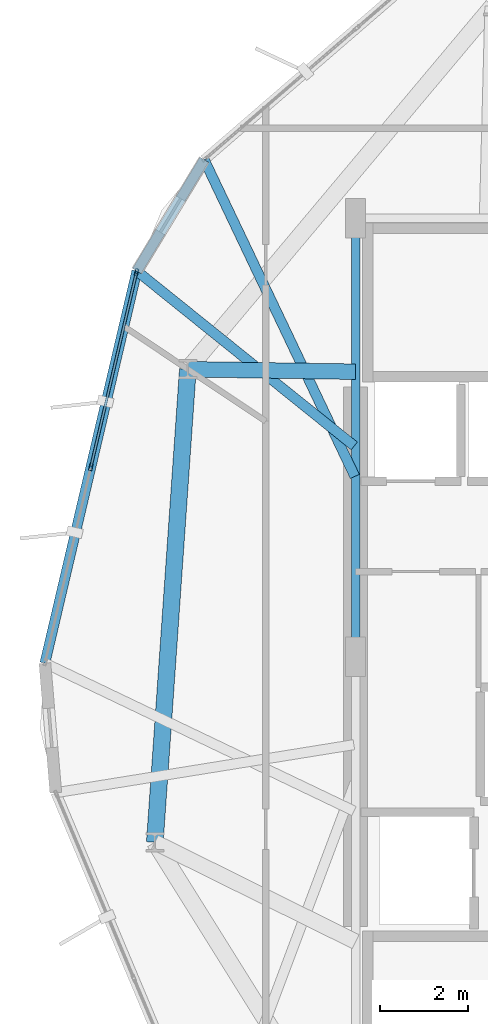
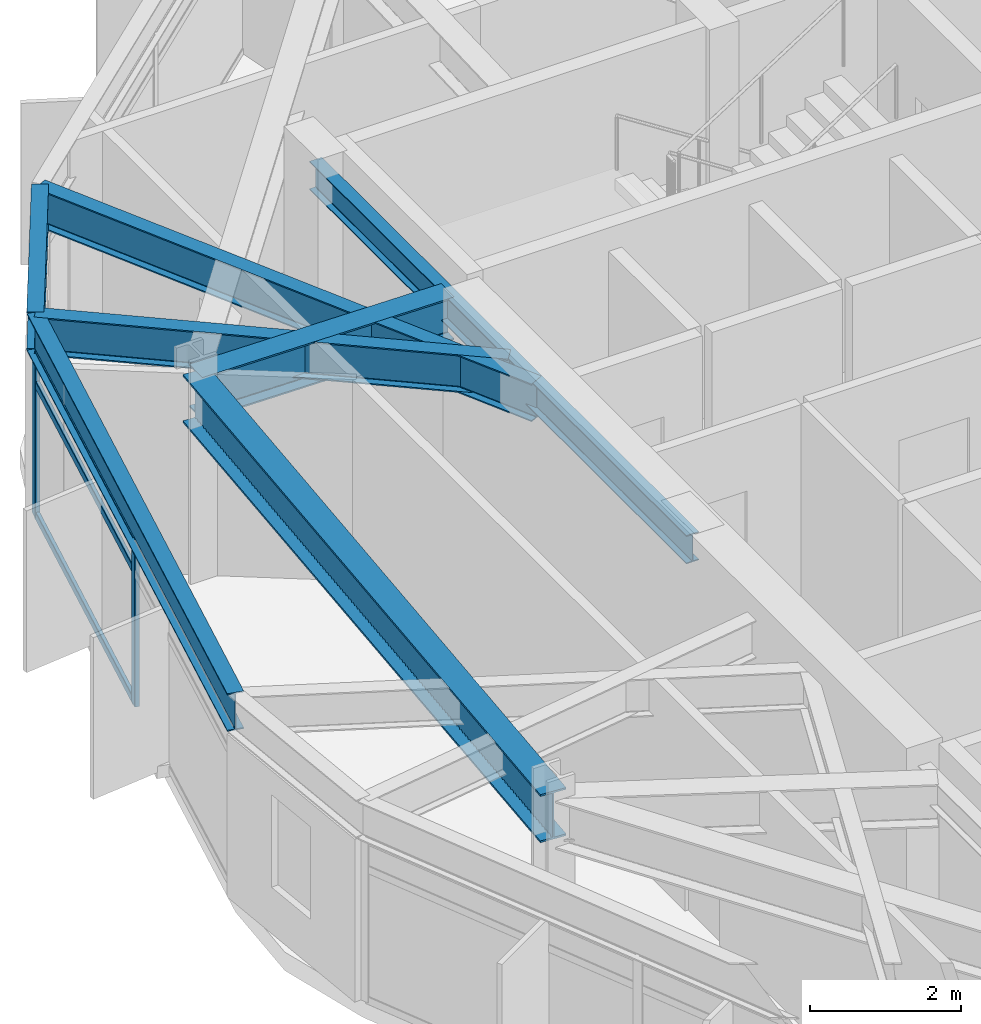
# One storey, part 8 of 27: 7 beams, 5 members, 1 element without a shape of its own.
"""IFC4 building model written with IfcOpenShell, lengths in metres."""

import ifcopenshell
import ifcopenshell.guid

model = None  # the IFC model being written
_history = None  # IfcOwnerHistory: only IFC2X3 demands one
_inside = {}  # id of a spatial element -> (the spatial element, [elements in it])
_under = {}  # id of a project, library or spatial element -> (it, [spatial elements below it])
_declared = {}  # id of a project -> (the project, [libraries it declares])
_typed = {}  # id of a type object -> (the type object, [elements of that type])
_made_of = {}  # id of a material, layer set ... -> (it, [elements and type objects made of it])


def new_model(schema):
    """Start an empty IFC model of exactly this schema.

    Asked for "IFC4X3", IfcOpenShell would pick the latest addendum, in which some entities
    have other attributes; the version numbers below select the first issue.
    IFC2X3 requires an IfcOwnerHistory on every rooted entity: one is made here for all.
    """
    global model, _history
    if schema == "IFC4X3":
        model = ifcopenshell.file(schema_version=(4, 3, 0, 0))
    else:
        model = ifcopenshell.file(schema=schema)
    _inside.clear()
    _under.clear()
    _declared.clear()
    _typed.clear()
    _made_of.clear()
    _history = None
    if model.schema == "IFC2X3":
        org = make("IfcOrganization", Name="unknown")
        user = make(
            "IfcPersonAndOrganization",
            ThePerson=make("IfcPerson", FamilyName="unknown"),
            TheOrganization=org,
        )
        app = make(
            "IfcApplication",
            ApplicationDeveloper=org,
            Version="unknown",
            ApplicationFullName="unknown",
            ApplicationIdentifier="unknown",
        )
        _history = make(
            "IfcOwnerHistory",
            OwningUser=user,
            OwningApplication=app,
            ChangeAction="ADDED",
            CreationDate=0,
        )
    return model


def make(cls, **values):
    """One entity of the class cls with the attributes given. An attribute that is None is left unset."""
    return model.create_entity(
        cls, **{name: value for name, value in values.items() if value is not None}
    )


def rooted(cls, **values):
    """An entity with a GlobalId (a new one), such as an element, a storey or a relation."""
    return make(cls, GlobalId=ifcopenshell.guid.new(), OwnerHistory=_history, **values)


def si_unit(unit_type, name, prefix=None):
    """IfcSIUnit, for example si_unit("LENGTHUNIT", "METRE", prefix="MILLI")."""
    return make("IfcSIUnit", UnitType=unit_type, Prefix=prefix, Name=name)


def assignment(units):
    """IfcUnitAssignment: the units of a project."""
    return None if units is None else make("IfcUnitAssignment", Units=units)


def point(xyz):
    """IfcCartesianPoint."""
    return None if xyz is None else make("IfcCartesianPoint", Coordinates=xyz)


def direction(xyz):
    """IfcDirection."""
    return None if xyz is None else make("IfcDirection", DirectionRatios=xyz)


def frame(location, z_axis=None, x_axis=None):
    """IfcAxis2Placement3D, a coordinate frame: its origin and axes. An axis left out is left unset."""
    return make(
        "IfcAxis2Placement3D",
        Location=point(location),
        Axis=direction(z_axis),
        RefDirection=direction(x_axis),
    )


def frame_2d(location, x_axis=None):
    """IfcAxis2Placement2D, a coordinate frame in the plane: its origin and x axis."""
    return make(
        "IfcAxis2Placement2D", Location=point(location), RefDirection=direction(x_axis)
    )


def origin():
    """The frame at (0, 0, 0) with its axes left unset."""
    return frame((0.0, 0.0, 0.0))


def origin_2d():
    """The frame at (0, 0) in the plane with its x axis left unset."""
    return frame_2d((0.0, 0.0))


def place(relative_to, where):
    """IfcLocalPlacement: puts the frame where relative to a parent placement (None: the world)."""
    return make(
        "IfcLocalPlacement", PlacementRelTo=relative_to, RelativePlacement=where
    )


def context(
    kind, dimensions, precision=None, world=None, true_north=None, identifier=None
):
    """IfcGeometricRepresentationContext, for example the 3D "Model" context."""
    return make(
        "IfcGeometricRepresentationContext",
        ContextIdentifier=identifier,
        ContextType=kind,
        CoordinateSpaceDimension=dimensions,
        Precision=precision,
        WorldCoordinateSystem=world,
        TrueNorth=true_north,
    )


def subcontext(parent, identifier, kind, view, scale=None):
    """IfcGeometricRepresentationSubContext, for example "Body" below "Model"."""
    return make(
        "IfcGeometricRepresentationSubContext",
        ContextIdentifier=identifier,
        ContextType=kind,
        ParentContext=parent,
        TargetScale=scale,
        TargetView=view,
    )


def project(units=None, contexts=None):
    """IfcProject with its units and contexts."""
    return rooted(
        "IfcProject",
        Name="project",
        RepresentationContexts=contexts,
        UnitsInContext=assignment(units),
    )


def spatial(cls, under=None, at=None, **own):
    """A site, building, storey or space (cls), placed at a placement, below another one or the project."""
    s = rooted(cls, ObjectPlacement=at, **own)
    if under is not None:
        _under.setdefault(under.id(), (under, []))[1].append(s)
    return s


def profile(cls, at=None, kind="AREA", **sizes):
    """A parametric profile (cls). Its sizes go by their IFC names, for example OverallWidth=200.0."""
    return make(cls, ProfileType=kind, Position=at, **sizes)


def hollow_rectangle(**sizes):
    """IfcRectangleHollowProfileDef."""
    return profile("IfcRectangleHollowProfileDef", **sizes)


def i_section(**sizes):
    """IfcIShapeProfileDef."""
    return profile("IfcIShapeProfileDef", **sizes)


def extrude(swept, where, along, depth):
    """IfcExtrudedAreaSolid: the profile swept, set in the frame where, extruded along a direction by depth."""
    return make(
        "IfcExtrudedAreaSolid",
        SweptArea=swept,
        Position=where,
        ExtrudedDirection=direction(along),
        Depth=depth,
    )


def shape(context_of_items, identifier, shape_type, items):
    """IfcShapeRepresentation: the items that make up one representation, for example the "Body"."""
    return make(
        "IfcShapeRepresentation",
        ContextOfItems=context_of_items,
        RepresentationIdentifier=identifier,
        RepresentationType=shape_type,
        Items=items,
    )


def material(Name=None, Category=None):
    """IfcMaterial."""
    return make("IfcMaterial", Name=Name, Category=Category)


def layer(
    of_material, thickness, ventilated=None, Name=None, Category=None, Priority=None
):
    """IfcMaterialLayer: one layer of a wall or slab, of a material (None: an air gap)."""
    return make(
        "IfcMaterialLayer",
        Material=of_material,
        LayerThickness=thickness,
        IsVentilated=ventilated,
        Name=Name,
        Category=Category,
        Priority=Priority,
    )


def layer_set(layers, Name=None):
    """IfcMaterialLayerSet."""
    return make("IfcMaterialLayerSet", MaterialLayers=layers, LayerSetName=Name)


def material_profile(
    of_material, cross_section, Name=None, Category=None, Priority=None
):
    """IfcMaterialProfile: a cross section and its material."""
    return make(
        "IfcMaterialProfile",
        Name=Name,
        Material=of_material,
        Profile=cross_section,
        Priority=Priority,
        Category=Category,
    )


def profile_set(profiles, Name=None, composite=None):
    """IfcMaterialProfileSet."""
    return make(
        "IfcMaterialProfileSet",
        Name=Name,
        MaterialProfiles=profiles,
        CompositeProfile=composite,
    )


def made_of(thing, what):
    """Note that an element or type object is made of a material, layer set ...; save() writes the relation."""
    if what is not None:
        _made_of.setdefault(what.id(), (what, []))[1].append(thing)
    return thing


def type_object(cls, material=None, **own):
    """A type object (cls), such as IfcWallType, which elements share."""
    return made_of(rooted(cls, **own), material)


def element(
    cls,
    number,
    at=None,
    inside=None,
    cuts=None,
    type_object=None,
    material=None,
    context=None,
    identifier="Body",
    shape_type=None,
    held_by="IfcProductDefinitionShape",
    body=None,
    shapes=None,
    **own,
):
    """One element of the class cls, such as IfcWall. Its Tag is "e" and its number.

    at: its placement. inside: the storey or other place that contains it. cuts: it is an
    opening in that element (IfcRelVoidsElement). A single representation is given by context,
    identifier, shape_type and body (its items); several are given by shapes. held_by: the class
    of the entity that holds the representations. save() writes the other relations.
    """
    e = rooted(cls, Tag="e%d" % number, ObjectPlacement=at, **own)
    if body is not None:
        shapes = [shape(context, identifier, shape_type, body)]
    if shapes is not None:
        e.Representation = make(held_by, Representations=shapes)
    if inside is not None:
        _inside.setdefault(inside.id(), (inside, []))[1].append(e)
    if cuts is not None:
        rooted(
            "IfcRelVoidsElement", RelatingBuildingElement=cuts, RelatedOpeningElement=e
        )
    if type_object is not None:
        _typed.setdefault(type_object.id(), (type_object, []))[1].append(e)
    return made_of(e, material)


def aggregate(whole, parts):
    """IfcRelAggregates: a whole, such as a stair, and the parts it consists of."""
    return rooted("IfcRelAggregates", RelatingObject=whole, RelatedObjects=parts)


def save(model, path):
    """Write the relations noted so far, then the file.

    IfcRelAggregates (storeys below a building ...), IfcRelContainedInSpatialStructure (elements
    in a storey), IfcRelDefinesByType, IfcRelAssociatesMaterial and IfcRelDeclares: one each for
    every whole, place, type object, material and project.
    """
    for whole, parts in _under.values():
        aggregate(whole, parts)
    for where, things in _inside.values():
        rooted(
            "IfcRelContainedInSpatialStructure",
            RelatedElements=things,
            RelatingStructure=where,
        )
    for kind, things in _typed.values():
        rooted("IfcRelDefinesByType", RelatedObjects=things, RelatingType=kind)
    for what, things in _made_of.values():
        rooted("IfcRelAssociatesMaterial", RelatedObjects=things, RelatingMaterial=what)
    for by, libraries in _declared.values():
        rooted("IfcRelDeclares", RelatingContext=by, RelatedDefinitions=libraries)
    model.write(path)


model = new_model("IFC4")

# Units and contexts
model_context = context("Model", 3, precision=1e-05, world=origin(), true_north=direction((0.0, 1.0)))
body_context = subcontext(model_context, "Body", "Model", "MODEL_VIEW")
ifc_project = project(units=[si_unit("LENGTHUNIT", "METRE"), si_unit("AREAUNIT", "SQUARE_METRE"), si_unit("VOLUMEUNIT", "CUBIC_METRE"), si_unit("PLANEANGLEUNIT", "RADIAN"), si_unit("MASSUNIT", "GRAM", prefix="KILO")], contexts=[model_context])

# Site, building, storey
site_placement = place(None, origin())
site = spatial("IfcSite", under=ifc_project, at=site_placement, CompositionType="ELEMENT")
building_placement = place(site_placement, origin())
building = spatial("IfcBuilding", under=site, at=building_placement, Name="Soratama Intermodal Tower", CompositionType="ELEMENT")
storey_placement = place(building_placement, frame((0.0, 0.0, 182.199951171875)))
storey = spatial("IfcBuildingStorey", under=building, at=storey_placement, Name="L45", CompositionType="ELEMENT", Elevation=182.199951171875)

# Beams
ifc_material_1 = material(Name="Structural steel ASTM A992 Grade 50", Category="steel")
ifc_material_profile_1 = material_profile(ifc_material_1, i_section(OverallWidth=0.19091796875, OverallDepth=0.4599609375, WebThickness=0.010009765625, FlangeThickness=0.01611328125, FilletRadius=0.010986328125, at=origin_2d()), Name="W18X55")
ifc_profile_set_1 = profile_set([ifc_material_profile_1], Name="Structural steel ASTM A992 Grade 50")
beam_type_1 = type_object("IfcBeamType", Name="BM-FLR-W18X55", PredefinedType="BEAM", material=ifc_profile_set_1)
beam_1_placement = place(storey_placement, frame((32.60009765625, 35.0, 3.030029296875), z_axis=(0.0, -1.0, 0.0), x_axis=(1.0, 0.0, 0.0)))
element("IfcBeam", 1, at=beam_1_placement, inside=storey, type_object=beam_type_1, Name="BM-L45-CRING-08", PredefinedType="BEAM", context=body_context, shape_type="SweptSolid", body=[
    extrude(i_section(OverallWidth=0.19091796875, OverallDepth=0.4599609375, WebThickness=0.010009765625, FlangeThickness=0.01611328125, FilletRadius=0.010986328125, at=origin_2d()), origin(), (0.0, 0.0, 1.0), 10.0),
])
ifc_material_2 = material(Name="Structural steel ASTM A992 Grade 50", Category="steel")
ifc_material_profile_2 = material_profile(ifc_material_2, i_section(OverallWidth=0.35498046875, OverallDepth=0.695068359375, WebThickness=0.015380859375, FlangeThickness=0.02490234375, FilletRadius=0.01611328125, at=origin_2d()), Name="W27X146")
ifc_profile_set_2 = profile_set([ifc_material_profile_2], Name="Structural steel ASTM A992 Grade 50")
beam_type_2 = type_object("IfcBeamType", Name="BM-RING-W27X146", PredefinedType="BEAM", material=ifc_profile_set_2)
beam_2_placement = place(storey_placement, frame((32.60009765625, 31.5, 2.91259765625), z_axis=(-0.999893261134, 0.014610487289, 0.0), x_axis=(-0.014610487289, -0.999893261134, 0.0)))
element("IfcBeam", 2, at=beam_2_placement, inside=storey, type_object=beam_type_2, Name="BM-L45-RAD-05", PredefinedType="BEAM", context=body_context, shape_type="SweptSolid", body=[
    extrude(i_section(OverallWidth=0.35498046875, OverallDepth=0.695068359375, WebThickness=0.015380859375, FlangeThickness=0.02490234375, FilletRadius=0.01611328125, at=origin_2d()), origin(), (0.0, 0.0, 1.0), 3.82666015625),
])
ifc_material_3 = material(Name="Structural steel ASTM A992 Grade 50", Category="steel")
ifc_material_profile_3 = material_profile(ifc_material_3, i_section(OverallWidth=0.382080078125, OverallDepth=0.779052734375, WebThickness=0.01806640625, FlangeThickness=0.030029296875, FilletRadius=0.01806640625, at=origin_2d()), Name="W30X191")
ifc_profile_set_3 = profile_set([ifc_material_profile_3], Name="Structural steel ASTM A992 Grade 50")
beam_type_3 = type_object("IfcBeamType", Name="BM-RING-W30X191", PredefinedType="BEAM", material=ifc_profile_set_3)
beam_3_placement = place(storey_placement, frame((28.77392578125, 31.555908203125, 2.87060546875), z_axis=(-0.069702217409, -0.99756784275, 0.0), x_axis=(0.99756784275, -0.069702217409, 0.0)))
element("IfcBeam", 3, at=beam_3_placement, inside=storey, type_object=beam_type_3, Name="BM-L45-RING-05", PredefinedType="BEAM", context=body_context, shape_type="SweptSolid", body=[
    extrude(i_section(OverallWidth=0.382080078125, OverallDepth=0.779052734375, WebThickness=0.01806640625, FlangeThickness=0.030029296875, FilletRadius=0.01806640625, at=origin_2d()), origin(), (0.0, 0.0, 1.0), 10.816162109375),
])
ifc_material_4 = material(Name="Structural steel ASTM A992 Grade 50", Category="steel")
ifc_material_profile_4 = material_profile(ifc_material_4, i_section(OverallWidth=0.22900390625, OverallDepth=0.612060546875, WebThickness=0.011962890625, FlangeThickness=0.01953125, FilletRadius=0.012939453125, at=origin_2d()), Name="W24X84")
ifc_profile_set_4 = profile_set([ifc_material_profile_4], Name="Structural steel ASTM A992 Grade 50")
beam_type_4 = type_object("IfcBeamType", Name="BM-SPN-W24X84", PredefinedType="SPANDREL", material=ifc_profile_set_4)
beam_4_placement = place(storey_placement, frame((29.14697265625, 36.3349609375, 2.9541015625), z_axis=(-0.51800077315, -0.855380148832, 0.0), x_axis=(0.855380148832, -0.51800077315, 0.0)))
element("IfcBeam", 4, at=beam_4_placement, inside=storey, type_object=beam_type_4, Name="BS-L45-CRN03", PredefinedType="SPANDREL", context=body_context, shape_type="SweptSolid", body=[
    extrude(i_section(OverallWidth=0.22900390625, OverallDepth=0.612060546875, WebThickness=0.011962890625, FlangeThickness=0.01953125, FilletRadius=0.012939453125, at=origin_2d()), origin(), (0.0, 0.0, 1.0), 2.966796875),
])
beam_5_placement = place(storey_placement, frame((27.610107421875, 33.797119140625, 2.9541015625), z_axis=(-0.228360948078, -0.973576539052, 0.0), x_axis=(0.973576539052, -0.228360948078, 0.0)))
element("IfcBeam", 5, at=beam_5_placement, inside=storey, type_object=beam_type_4, Name="BS-L45-F04", PredefinedType="SPANDREL", context=body_context, shape_type="SweptSolid", body=[
    extrude(i_section(OverallWidth=0.22900390625, OverallDepth=0.612060546875, WebThickness=0.011962890625, FlangeThickness=0.01953125, FilletRadius=0.012939453125, at=origin_2d()), origin(), (0.0, 0.0, 1.0), 9.187744140625),
])
ifc_material_5 = material(Name="Structural steel ASTM A992 Grade 50", Category="steel")
ifc_material_profile_5 = material_profile(ifc_material_5, i_section(OverallWidth=0.22900390625, OverallDepth=0.612060546875, WebThickness=0.011962890625, FlangeThickness=0.01953125, FilletRadius=0.012939453125, at=origin_2d()), Name="W24X84")
ifc_profile_set_5 = profile_set([ifc_material_profile_5], Name="Structural steel ASTM A992 Grade 50")
beam_type_5 = type_object("IfcBeamType", Name="BM-TIE-W24X84", PredefinedType="BEAM", material=ifc_profile_set_5)
beam_6_placement = place(storey_placement, frame((32.5830078125, 29.111083984375, 2.9541015625), z_axis=(-0.429535483861, 0.903049980956, 0.0), x_axis=(-0.903049980956, -0.429535483861, 0.0)))
element("IfcBeam", 6, at=beam_6_placement, inside=storey, type_object=beam_type_5, Name="BM-L45-TIE1-03", PredefinedType="BEAM", context=body_context, shape_type="SweptSolid", body=[
    extrude(i_section(OverallWidth=0.22900390625, OverallDepth=0.612060546875, WebThickness=0.011962890625, FlangeThickness=0.01953125, FilletRadius=0.012939453125, at=origin_2d()), origin(), (0.0, 0.0, 1.0), 7.99951171875),
])
beam_7_placement = place(storey_placement, frame((32.569091796875, 29.805908203125, 2.9541015625), z_axis=(-0.779024478637, 0.626993510081, 0.0), x_axis=(-0.626993510081, -0.779024478637, 0.0)))
element("IfcBeam", 7, at=beam_7_placement, inside=storey, type_object=beam_type_5, Name="BM-L45-TIE0-04", PredefinedType="BEAM", context=body_context, shape_type="SweptSolid", body=[
    extrude(i_section(OverallWidth=0.22900390625, OverallDepth=0.612060546875, WebThickness=0.011962890625, FlangeThickness=0.01953125, FilletRadius=0.012939453125, at=origin_2d()), origin(), (0.0, 0.0, 1.0), 6.36572265625),
])

# Curtain wall, members
ifc_material_6 = material(Name="Double-glazed aluminium curtain wall", Category="aluminium")
ifc_layer = layer(ifc_material_6, 0.159912109375)
ifc_layer_set = layer_set([ifc_layer], Name="Double-glazed aluminium curtain wall")
curtain_wall_type = type_object("IfcCurtainWallType", Name="CW-SYS-4", PredefinedType="NOTDEFINED", material=ifc_layer_set)
curtain_wall_placement = place(storey_placement, origin())
curtain_wall = element("IfcCurtainWall", 8, at=curtain_wall_placement, inside=storey, type_object=curtain_wall_type, Name="L45 Faceted Curtain Wall F04", PredefinedType="NOTDEFINED")
ifc_material_7 = material(Name="Anodised aluminium AA 6063-T6", Category="aluminium")
ifc_material_profile_6 = material_profile(ifc_material_7, hollow_rectangle(XDim=0.070068359375, YDim=0.159912109375, WallThickness=0.0048828125, InnerFilletRadius=0.0048828125, OuterFilletRadius=0.010009765625, at=origin_2d()), Name="CWM160X70X5")
ifc_profile_set_6 = profile_set([ifc_material_profile_6], Name="Anodised aluminium AA 6063-T6")
member_type_1 = type_object("IfcMemberType", Name="MT-CWM-4", PredefinedType="MULLION", material=ifc_profile_set_6)
member_1_placement = place(storey_placement, frame((27.603515625, 33.768310546875, 0.0), z_axis=(0.0, 0.0, 1.0), x_axis=(0.973578931262, -0.228350749076, 0.0)))
member_1 = element("IfcMember", 9, at=member_1_placement, type_object=member_type_1, Name="CW-4 mullion 1", PredefinedType="MULLION", context=body_context, shape_type="SweptSolid", body=[
    extrude(hollow_rectangle(XDim=0.070068359375, YDim=0.159912109375, WallThickness=0.0048828125, InnerFilletRadius=0.0048828125, OuterFilletRadius=0.010009765625, at=origin_2d()), origin(), (0.0, 0.0, 1.0), 2.63916015625),
])
member_2_placement = place(storey_placement, frame((26.561279296875, 29.32470703125, 0.0), z_axis=(0.0, 0.0, 1.0), x_axis=(0.973578931262, -0.228350749076, 0.0)))
member_2 = element("IfcMember", 10, at=member_2_placement, type_object=member_type_1, Name="CW-4 mullion 2", PredefinedType="MULLION", context=body_context, shape_type="SweptSolid", body=[
    extrude(hollow_rectangle(XDim=0.070068359375, YDim=0.159912109375, WallThickness=0.0048828125, InnerFilletRadius=0.0048828125, OuterFilletRadius=0.010009765625, at=origin_2d()), origin(), (0.0, 0.0, 1.0), 2.63916015625),
])
ifc_material_8 = material(Name="Anodised aluminium AA 6063-T6", Category="aluminium")
ifc_material_profile_7 = material_profile(ifc_material_8, hollow_rectangle(XDim=0.06005859375, YDim=0.1298828125, WallThickness=0.0048828125, InnerFilletRadius=0.0048828125, OuterFilletRadius=0.010009765625, at=origin_2d()), Name="CWT130X60X5")
ifc_profile_set_7 = profile_set([ifc_material_profile_7], Name="Anodised aluminium AA 6063-T6")
member_type_2 = type_object("IfcMemberType", Name="TT-CWT-2", PredefinedType="USERDEFINED", material=ifc_profile_set_7)
member_3_placement = place(storey_placement, frame((27.5966796875, 33.739013671875, 0.030029296875), z_axis=(-0.228365537748, -0.973575462493, 0.0), x_axis=(0.973575462493, -0.228365537748, 0.0)))
member_3 = element("IfcMember", 11, at=member_3_placement, type_object=member_type_2, Name="CW-4 transom 1.1", ObjectType="TRANSOM", PredefinedType="USERDEFINED", context=body_context, shape_type="SweptSolid", body=[
    extrude(hollow_rectangle(XDim=0.06005859375, YDim=0.1298828125, WallThickness=0.0048828125, InnerFilletRadius=0.0048828125, OuterFilletRadius=0.010009765625, at=origin_2d()), origin(), (0.0, 0.0, 1.0), 4.50390625),
])
member_4_placement = place(storey_placement, frame((27.5966796875, 33.739013671875, 2.150146484375), z_axis=(-0.228365537748, -0.973575462493, 0.0), x_axis=(0.973575462493, -0.228365537748, 0.0)))
member_4 = element("IfcMember", 12, at=member_4_placement, type_object=member_type_2, Name="CW-4 transom 1.2", ObjectType="TRANSOM", PredefinedType="USERDEFINED", context=body_context, shape_type="SweptSolid", body=[
    extrude(hollow_rectangle(XDim=0.06005859375, YDim=0.1298828125, WallThickness=0.0048828125, InnerFilletRadius=0.0048828125, OuterFilletRadius=0.010009765625, at=origin_2d()), origin(), (0.0, 0.0, 1.0), 4.50390625),
])
member_5_placement = place(storey_placement, frame((27.5966796875, 33.739013671875, 2.609130859375), z_axis=(-0.228365537748, -0.973575462493, 0.0), x_axis=(0.973575462493, -0.228365537748, 0.0)))
member_5 = element("IfcMember", 13, at=member_5_placement, type_object=member_type_2, Name="CW-4 transom 1.3", ObjectType="TRANSOM", PredefinedType="USERDEFINED", context=body_context, shape_type="SweptSolid", body=[
    extrude(hollow_rectangle(XDim=0.06005859375, YDim=0.1298828125, WallThickness=0.0048828125, InnerFilletRadius=0.0048828125, OuterFilletRadius=0.010009765625, at=origin_2d()), origin(), (0.0, 0.0, 1.0), 4.50390625),
])
aggregate(curtain_wall, [member_1, member_2, member_3, member_4, member_5])

save(model, "model.ifc")
